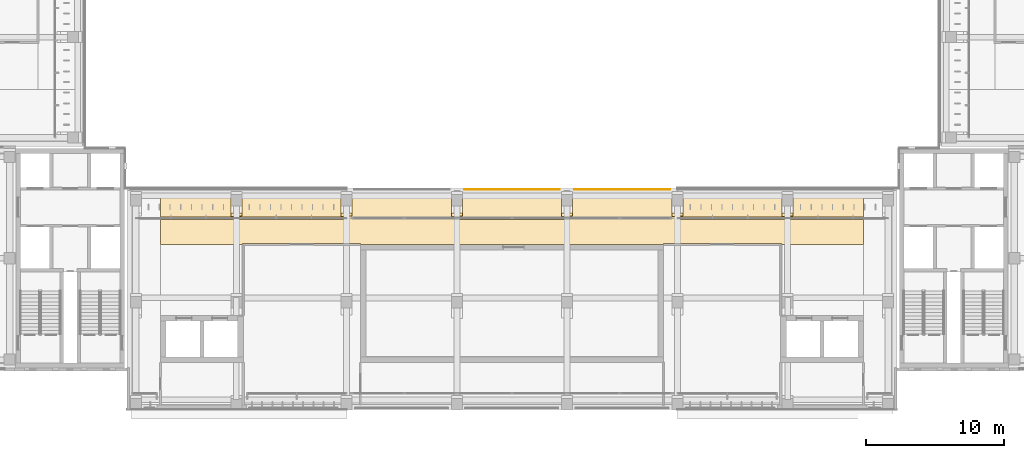
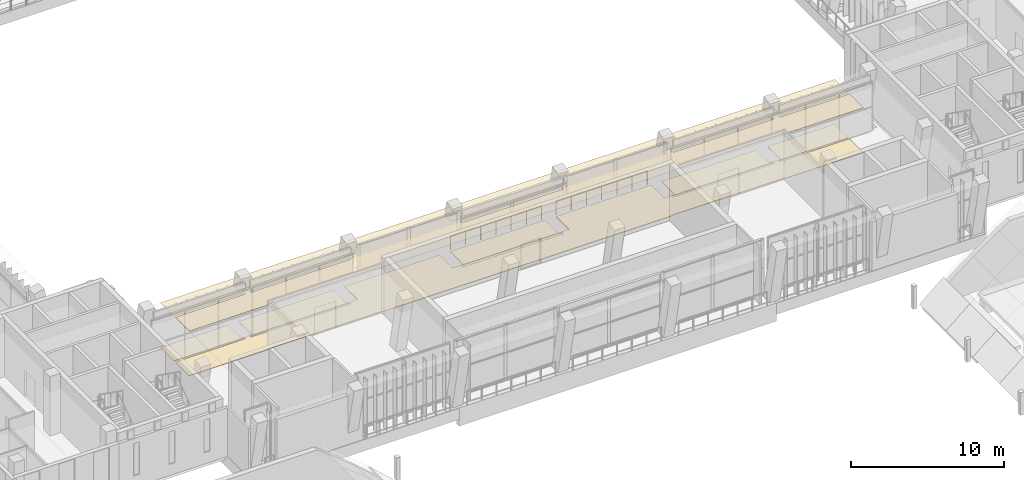
# One storey, part 72 of 89: 2 coverings, 2 railings.
"""IFC4 building model written with IfcOpenShell, lengths in metres."""

from ifc_helpers import new_model, si_unit, direction, frame, origin, origin_2d, place, context, subcontext, project, spatial, polyline, circle, outline, extrude, material, layer, layer_set, type_object, element, save


model = new_model("IFC4")

# Units and contexts
model_context = context("Model", 3, precision=1e-05, world=origin(), true_north=direction((0.0, 1.0)))
body_context = subcontext(model_context, "Body", "Model", "MODEL_VIEW")
ifc_project = project(units=[si_unit("LENGTHUNIT", "METRE"), si_unit("AREAUNIT", "SQUARE_METRE"), si_unit("VOLUMEUNIT", "CUBIC_METRE"), si_unit("PLANEANGLEUNIT", "RADIAN"), si_unit("MASSUNIT", "GRAM", prefix="KILO")], contexts=[model_context])

# Site, building, storey
site_placement = place(None, origin())
site = spatial("IfcSite", under=ifc_project, at=site_placement, CompositionType="ELEMENT")
building_placement = place(site_placement, origin())
building = spatial("IfcBuilding", under=site, at=building_placement, Name="Lantern Court Media Centre", CompositionType="ELEMENT")
storey_placement = place(building_placement, frame((0.0, 0.0, 14.39990234375)))
storey = spatial("IfcBuildingStorey", under=building, at=storey_placement, Name="L03", CompositionType="ELEMENT", Elevation=14.39990234375)

# Railings
ifc_material_1 = material(Name="Powder-coated steel", Category="steel")
railing_type = type_object("IfcRailingType", Name="Floor edge guard 1100", PredefinedType="GUARDRAIL", material=ifc_material_1)
for number, where, name in (
    (1, (48.55810546875, 60.93994140625, 0.0), "L03 edge guard 88"),
    (2, (56.552978515625, 60.93994140625, 0.0), "L03 edge guard 91"),
):
    element("IfcRailing", number, at=place(storey_placement, frame(where)), inside=storey, type_object=railing_type, Name=name, PredefinedType="GUARDRAIL", context=body_context, shape_type="SweptSolid", body=[
        extrude(circle(Radius=0.02392578125, at=origin_2d()), frame((0.0, 0.0, 1.076171875), z_axis=(1.0, 0.0, 0.0), x_axis=(0.0, 1.0, 0.0)), (0.0, 0.0, 1.0), 6.89599609375),
        extrude(circle(Radius=0.02099609375, at=origin_2d()), origin(), (0.0, 0.0, 1.0), 1.052001953125),
        extrude(circle(Radius=0.02099609375, at=origin_2d()), frame((1.1494140625, 0.0, 0.0)), (0.0, 0.0, 1.0), 1.052001953125),
        extrude(circle(Radius=0.02099609375, at=origin_2d()), frame((2.298583984375, 0.0, 0.0)), (0.0, 0.0, 1.0), 1.052001953125),
        extrude(circle(Radius=0.02099609375, at=origin_2d()), frame((3.447998046875, 0.0, 0.0)), (0.0, 0.0, 1.0), 1.052001953125),
        extrude(circle(Radius=0.02099609375, at=origin_2d()), frame((4.597412109375, 0.0, 0.0)), (0.0, 0.0, 1.0), 1.052001953125),
        extrude(circle(Radius=0.02099609375, at=origin_2d()), frame((5.74658203125, 0.0, 0.0)), (0.0, 0.0, 1.0), 1.052001953125),
        extrude(circle(Radius=0.02099609375, at=origin_2d()), frame((6.89599609375, 0.0, 0.0)), (0.0, 0.0, 1.0), 1.052001953125),
    ])

# Coverings
ifc_material_2 = material(Name="Mineral fibre ceiling tile")
ifc_layer_1 = layer(ifc_material_2, 0.02001953125)
ifc_layer_set_1 = layer_set([ifc_layer_1], Name="Mineral fibre ceiling tile")
covering_type_1 = type_object("IfcCoveringType", Name="Suspended ceiling tile", PredefinedType="CEILING", material=ifc_layer_set_1)
covering_1_placement = place(storey_placement, frame((0.0, 0.0, 3.60009765625)))
element("IfcCovering", 3, at=covering_1_placement, inside=storey, type_object=covering_type_1, Name="Corridor ceiling", PredefinedType="CEILING", context=body_context, shape_type="SweptSolid", body=[
    extrude(outline(polyline([(77.5, 56.949951171875), (71.56298828125, 56.949951171875), (71.5625, 57.012939453125), (63.0, 57.012939453125), (62.99951171875, 56.950439453125), (41.00048828125, 56.950439453125), (41.0, 57.012939453125), (32.4375, 57.012939453125), (32.43701171875, 56.949951171875), (26.5, 56.949951171875), (26.5, 58.7744140625), (31.800537109375, 58.77490234375), (31.800048828125, 58.925537109375), (26.5, 58.925537109375), (26.5, 60.699951171875), (77.5, 60.699951171875), (77.5, 58.925537109375), (72.199462890625, 58.925048828125), (72.199951171875, 58.7744140625), (77.5, 58.7744140625), (77.5, 56.949951171875)]), holes=[polyline([(72.39990234375, 59.247314453125), (72.400390625, 59.800537109375), (71.599609375, 59.80029296875), (71.599609375, 59.24755859375), (72.39990234375, 59.247314453125)]), polyline([(72.39990234375, 59.99951171875), (72.400146484375, 60.04833984375), (71.599609375, 60.0478515625), (71.599853515625, 59.99951171875), (72.39990234375, 59.99951171875)]), polyline([(64.199951171875, 58.925537109375), (64.199951171875, 58.7744140625), (71.800537109375, 58.77490234375), (71.800048828125, 58.925537109375), (64.199951171875, 58.925537109375)]), polyline([(64.39990234375, 59.247314453125), (64.400390625, 59.800537109375), (63.599609375, 59.80029296875), (63.599609375, 59.24755859375), (64.39990234375, 59.247314453125)]), polyline([(64.400390625, 60.0478515625), (63.599853515625, 60.04833984375), (63.599609375, 60.0), (64.400146484375, 59.99951171875), (64.400390625, 60.0478515625)]), polyline([(56.400390625, 59.800048828125), (55.599609375, 59.800537109375), (55.599609375, 59.24755859375), (56.400390625, 59.24755859375), (56.400390625, 59.800048828125)]), polyline([(56.39990234375, 59.99951171875), (56.400146484375, 60.04833984375), (55.599609375, 60.0478515625), (55.599853515625, 59.99951171875), (56.39990234375, 59.99951171875)]), polyline([(48.199951171875, 58.950439453125), (48.199951171875, 58.74951171875), (55.800537109375, 58.75), (55.800048828125, 58.950439453125), (48.199951171875, 58.950439453125)]), polyline([(48.39990234375, 59.247314453125), (48.400390625, 59.800537109375), (47.599609375, 59.80029296875), (47.599609375, 59.24755859375), (48.39990234375, 59.247314453125)]), polyline([(48.39990234375, 59.99951171875), (48.400146484375, 60.04833984375), (47.599609375, 60.0478515625), (47.599853515625, 59.99951171875), (48.39990234375, 59.99951171875)]), polyline([(40.39990234375, 59.247314453125), (40.400390625, 59.800537109375), (39.599609375, 59.80029296875), (39.599609375, 59.24755859375), (40.39990234375, 59.247314453125)]), polyline([(40.39990234375, 59.99951171875), (40.400146484375, 60.04833984375), (39.599609375, 60.0478515625), (39.599853515625, 59.99951171875), (40.39990234375, 59.99951171875)]), polyline([(32.199951171875, 58.925537109375), (32.199951171875, 58.7744140625), (39.800537109375, 58.77490234375), (39.800048828125, 58.925537109375), (32.199951171875, 58.925537109375)]), polyline([(32.39990234375, 59.247314453125), (32.400390625, 59.800537109375), (31.599609375, 59.80029296875), (31.599609375, 59.24755859375), (32.39990234375, 59.247314453125)]), polyline([(32.400390625, 60.0478515625), (31.599853515625, 60.04833984375), (31.599609375, 60.0), (32.400146484375, 59.99951171875), (32.400390625, 60.0478515625)])]), origin(), (0.0, 0.0, 1.0), 0.02001953125),
])
ifc_material_3 = material(Name="Terrazzo")
ifc_layer_2 = layer(ifc_material_3, 0.050048828125)
ifc_layer_set_2 = layer_set([ifc_layer_2], Name="Terrazzo")
covering_type_2 = type_object("IfcCoveringType", Name="Terrazzo floor finish", PredefinedType="FLOORING", material=ifc_layer_set_2)
covering_2_placement = place(storey_placement, origin())
element("IfcCovering", 4, at=covering_2_placement, inside=storey, type_object=covering_type_2, Name="Corridor floor finish", PredefinedType="FLOORING", context=body_context, shape_type="SweptSolid", body=[
    extrude(outline(polyline([(77.5, 56.949951171875), (71.5673828125, 56.949951171875), (71.5625, 57.017578125), (63.0, 57.017578125), (62.9951171875, 56.955078125), (41.0048828125, 56.955078125), (41.0, 57.017578125), (32.4375, 57.017578125), (32.4326171875, 56.949951171875), (26.5, 56.949951171875), (26.5, 58.77001953125), (31.804931640625, 58.77490234375), (31.800048828125, 58.929931640625), (26.5, 58.929931640625), (26.5, 60.699951171875), (31.594970703125, 60.699951171875), (31.60009765625, 58.9951171875), (32.404541015625, 58.998046875), (32.405029296875, 60.699951171875), (39.594970703125, 60.699951171875), (39.60009765625, 58.9951171875), (40.404541015625, 58.998046875), (40.405029296875, 60.699951171875), (47.594970703125, 60.699951171875), (47.60009765625, 58.9951171875), (48.404541015625, 58.998046875), (48.405029296875, 60.699951171875), (55.594970703125, 60.699951171875), (55.60009765625, 58.9951171875), (56.404541015625, 58.998046875), (56.405029296875, 60.699951171875), (63.594970703125, 60.699951171875), (63.60009765625, 58.9951171875), (64.404541015625, 58.998046875), (64.405029296875, 60.699951171875), (71.594970703125, 60.699951171875), (71.60009765625, 58.9951171875), (72.404541015625, 58.998046875), (72.405029296875, 60.699951171875), (77.5, 60.699951171875), (77.5, 58.929931640625), (72.195068359375, 58.925048828125), (72.199951171875, 58.77001953125), (77.5, 58.77001953125), (77.5, 56.949951171875)]), holes=[polyline([(64.199951171875, 58.929931640625), (64.199951171875, 58.77001953125), (71.804931640625, 58.77490234375), (71.800048828125, 58.929931640625), (64.199951171875, 58.929931640625)]), polyline([(48.199951171875, 58.955078125), (48.199951171875, 58.7451171875), (55.804931640625, 58.75), (55.800048828125, 58.955078125), (48.199951171875, 58.955078125)]), polyline([(32.199951171875, 58.929931640625), (32.199951171875, 58.77001953125), (39.804931640625, 58.77490234375), (39.800048828125, 58.929931640625), (32.199951171875, 58.929931640625)])]), origin(), (0.0, 0.0, 1.0), 0.050048828125),
])

save(model, "model.ifc")
